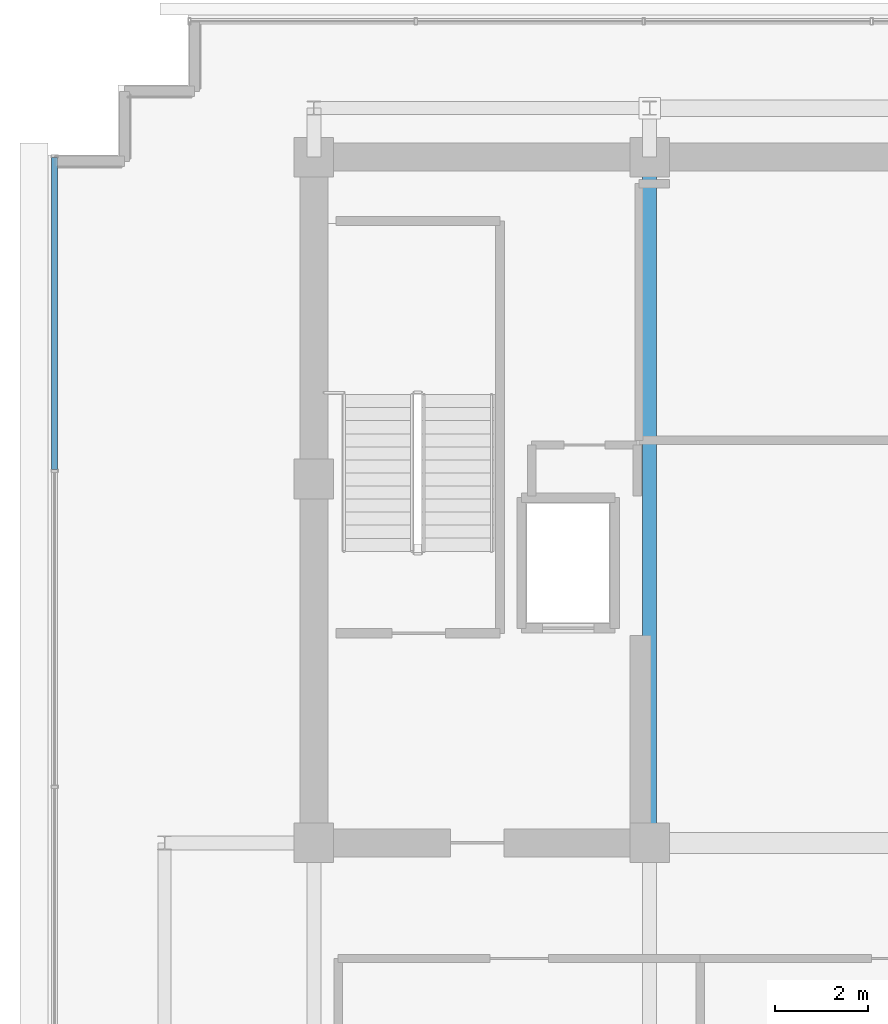
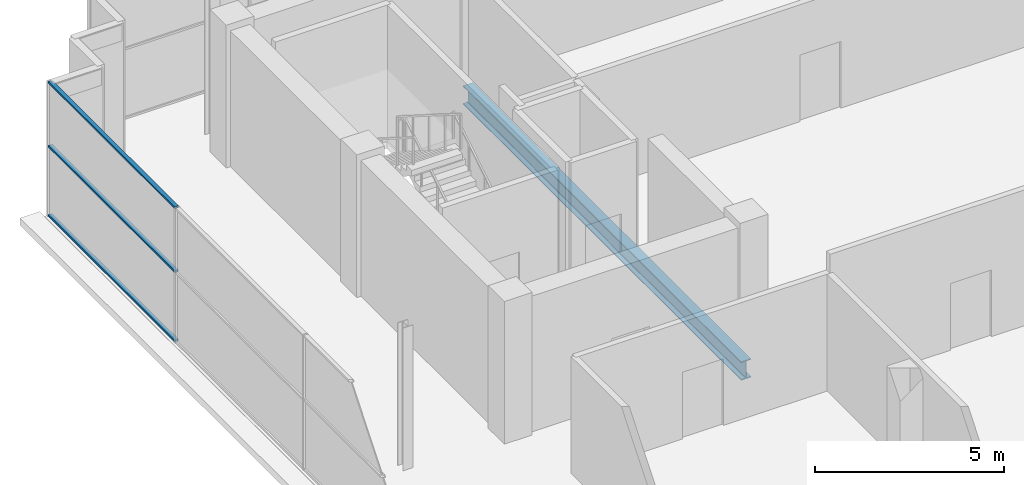
# One storey, part 12 of 28: 3 members, 1 beam, 1 element without a shape of its own.
"""IFC4 building model written with IfcOpenShell, lengths in metres."""

from ifc_helpers import new_model, si_unit, direction, frame, origin, origin_2d, place, context, subcontext, project, spatial, hollow_rectangle, i_section, extrude, source, transform, mapped, material, layer, layer_set, material_profile, profile_set, type_object, element, aggregate, save


model = new_model("IFC4")

# Units and contexts
model_context = context("Model", 3, precision=1e-05, world=origin(), true_north=direction((0.0, 1.0)))
body_context = subcontext(model_context, "Body", "Model", "MODEL_VIEW")
ifc_project = project(units=[si_unit("LENGTHUNIT", "METRE"), si_unit("AREAUNIT", "SQUARE_METRE"), si_unit("VOLUMEUNIT", "CUBIC_METRE"), si_unit("PLANEANGLEUNIT", "RADIAN"), si_unit("MASSUNIT", "GRAM", prefix="KILO")], contexts=[model_context])

# Site, building, storey
site_placement = place(None, origin())
site = spatial("IfcSite", under=ifc_project, at=site_placement, CompositionType="ELEMENT")
building_placement = place(site_placement, origin())
building = spatial("IfcBuilding", under=site, at=building_placement, Name="Zarnakvel Exchange Tower", CompositionType="ELEMENT")
storey_placement = place(building_placement, frame((0.0, 0.0, 276.199951171875)))
storey = spatial("IfcBuildingStorey", under=building, at=storey_placement, Name="Crown L78", CompositionType="ELEMENT", Elevation=276.199951171875)

# Beam
ifc_material_1 = material(Name="Steel S355", Category="steel")
ifc_material_profile_1 = material_profile(ifc_material_1, i_section(OverallWidth=0.300048828125, OverallDepth=0.60009765625, WebThickness=0.015380859375, FlangeThickness=0.030029296875, FilletRadius=0.027099609375, at=origin_2d()))
ifc_profile_set_1 = profile_set([ifc_material_profile_1], Name="Steel S355")
beam_type = type_object("IfcBeamType", Name="G-04", PredefinedType="BEAM", material=ifc_profile_set_1)
beam_placement = place(storey_placement, frame((-7.199951171875, -1.199951171875, -0.52001953125), z_axis=(0.0, 1.0, 0.0), x_axis=(-1.0, 0.0, 0.0)))
element("IfcBeam", 1, at=beam_placement, inside=storey, type_object=beam_type, Name="Crown L78 Tower N-S Frame Beam", PredefinedType="BEAM", context=body_context, shape_type="SweptSolid", body=[
    extrude(i_section(OverallWidth=0.300048828125, OverallDepth=0.60009765625, WebThickness=0.015380859375, FlangeThickness=0.030029296875, FilletRadius=0.027099609375, at=origin_2d()), origin(), (0.0, 0.0, 1.0), 14.699951171875),
])

# Curtain wall, members
ifc_material_2 = material(Name="Architectural Bronze Anodised Aluminium", Category="aluminium")
ifc_layer = layer(ifc_material_2, 0.14990234375)
ifc_layer_set = layer_set([ifc_layer], Name="Architectural Bronze Anodised Aluminium")
curtain_wall_type = type_object("IfcCurtainWallType", Name="CW-07", PredefinedType="NOTDEFINED", material=ifc_layer_set)
curtain_wall_placement = place(storey_placement, origin())
curtain_wall = element("IfcCurtainWall", 2, at=curtain_wall_placement, inside=storey, type_object=curtain_wall_type, Name="Crown L78 Curtain Wall CW-Crown L78-W (CW-07)", PredefinedType="NOTDEFINED")
ifc_material_profile_2 = material_profile(ifc_material_2, hollow_rectangle(XDim=0.1201171875, YDim=0.06005859375, WallThickness=0.00390625, at=origin_2d()))
ifc_profile_set_2 = profile_set([ifc_material_profile_2], Name="Architectural Bronze Anodised Aluminium")
member_type = type_object("IfcMemberType", Name="CWT-07", PredefinedType="USERDEFINED", material=ifc_profile_set_2)
shared_shape = source(origin(), body_context, "Body", "SweptSolid", [
    extrude(hollow_rectangle(XDim=0.1201171875, YDim=0.06005859375, WallThickness=0.00390625, at=origin_2d()), origin(), (0.0, 0.0, 1.0), 6.68505859375),
])
member_1_placement = place(storey_placement, frame((-19.9599609375, 6.804931640625, 0.030029296875), z_axis=(0.0, 1.0, 0.0), x_axis=(-1.0, 0.0, 0.0)))
member_1 = element("IfcMember", 3, at=member_1_placement, type_object=member_type, Name="CW-07 transom 4.1", ObjectType="TRANSOM", PredefinedType="USERDEFINED", context=body_context, shape_type="MappedRepresentation", body=[
    mapped(shared_shape, transform((0.0, 0.0, 0.0), x_axis=(1.0, 0.0, 0.0), y_axis=(0.0, 1.0, 0.0), z_axis=(0.0, 0.0, 1.0), scale=1.0)),
])
member_2_placement = place(storey_placement, frame((-19.9599609375, 6.804931640625, 2.267333984375), z_axis=(0.0, 1.0, 0.0), x_axis=(-1.0, 0.0, 0.0)))
member_2 = element("IfcMember", 4, at=member_2_placement, type_object=member_type, Name="CW-07 transom 4.2", ObjectType="TRANSOM", PredefinedType="USERDEFINED", context=body_context, shape_type="MappedRepresentation", body=[
    mapped(shared_shape, transform((0.0, 0.0, 0.0), x_axis=(1.0, 0.0, 0.0), y_axis=(0.0, 1.0, 0.0), z_axis=(0.0, 0.0, 1.0), scale=1.0)),
])
member_3_placement = place(storey_placement, frame((-19.9599609375, 6.804931640625, 4.330078125), z_axis=(0.0, 1.0, 0.0), x_axis=(-1.0, 0.0, 0.0)))
member_3 = element("IfcMember", 5, at=member_3_placement, type_object=member_type, Name="CW-07 transom 4.3", ObjectType="TRANSOM", PredefinedType="USERDEFINED", context=body_context, shape_type="MappedRepresentation", body=[
    mapped(shared_shape, transform((0.0, 0.0, 0.0), x_axis=(1.0, 0.0, 0.0), y_axis=(0.0, 1.0, 0.0), z_axis=(0.0, 0.0, 1.0), scale=1.0)),
])
aggregate(curtain_wall, [member_1, member_2, member_3])

save(model, "model.ifc")
